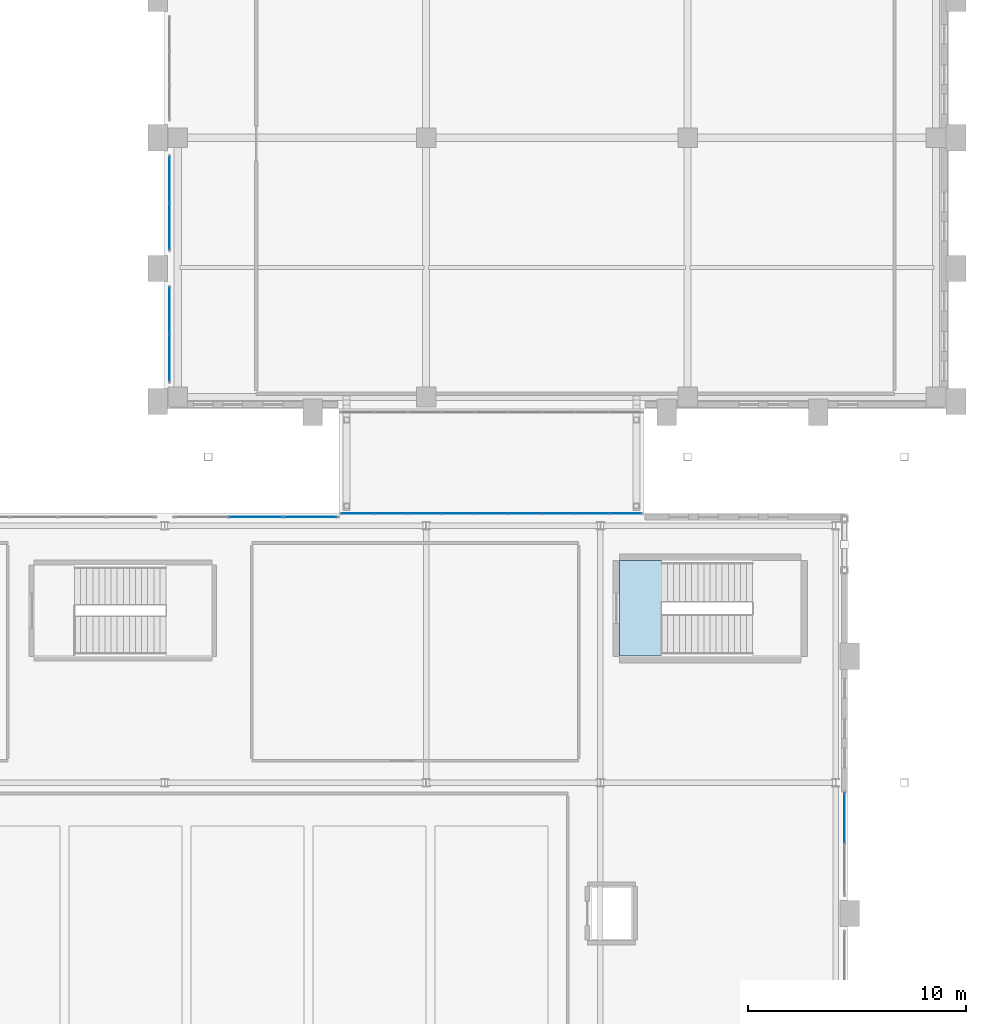
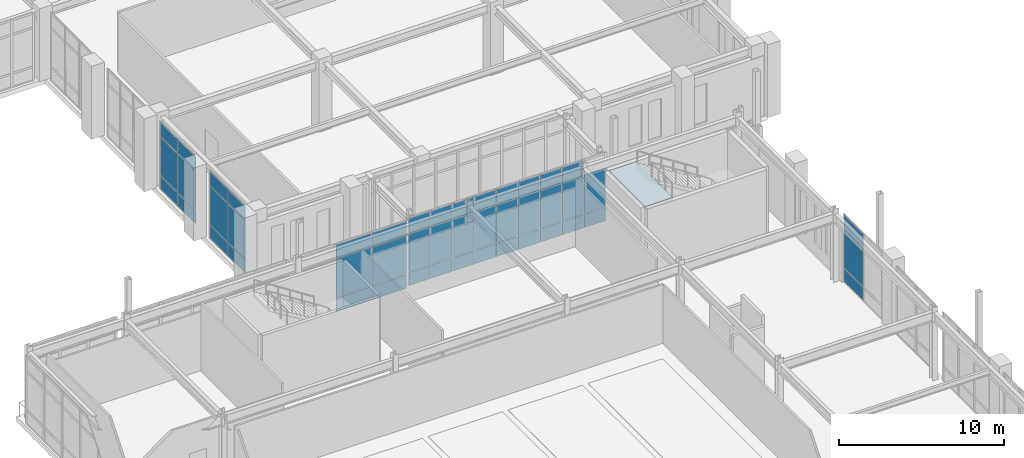
# One storey, part 116 of 159: 47 plates, 1 slab, 6 elements without a shape of their own.
"""IFC4 building model written with IfcOpenShell, lengths in metres."""

from ifc_helpers import new_model, si_unit, derived_unit, direction, frame, origin, origin_2d, place, context, subcontext, project, spatial, polyline, rectangle, outline, extrude, material, layer, layer_set, type_object, element, aggregate, save


model = new_model("IFC4")

# Units and contexts
model_context = context("Model", 3, precision=1e-05, world=origin(), true_north=direction((0.0, 1.0)))
body_context = subcontext(model_context, "Body", "Model", "MODEL_VIEW")
ifc_project = project(units=[si_unit("LENGTHUNIT", "METRE"), si_unit("AREAUNIT", "SQUARE_METRE"), si_unit("VOLUMEUNIT", "CUBIC_METRE"), si_unit("PLANEANGLEUNIT", "RADIAN"), si_unit("MASSUNIT", "GRAM", prefix="KILO"), derived_unit("THERMALTRANSMITTANCEUNIT", [(si_unit("MASSUNIT", "GRAM", prefix="KILO"), 1), (si_unit("TIMEUNIT", "SECOND"), -3), (si_unit("THERMODYNAMICTEMPERATUREUNIT", "KELVIN"), -1)])], contexts=[model_context])

# Site, building, storey
site_placement = place(None, origin())
site = spatial("IfcSite", under=ifc_project, at=site_placement, CompositionType="ELEMENT")
building_placement = place(site_placement, origin())
building = spatial("IfcBuilding", under=site, at=building_placement, Name="Valcora Ridge Arena", CompositionType="ELEMENT")
storey_placement = place(building_placement, frame((0.0, 0.0, 6.0)))
storey = spatial("IfcBuildingStorey", under=building, at=storey_placement, Name="L01", CompositionType="ELEMENT", Elevation=6.0)

# Stair, slab
ifc_material_1 = material(Name="Concrete C40/50", Category="concrete")
stair_type = type_object("IfcStairType", Name="TY-STAIR-ST12-54", PredefinedType="HALF_TURN_STAIR", material=ifc_material_1)
stair_placement = place(storey_placement, origin())
stair = element("IfcStair", 1, at=stair_placement, inside=storey, type_object=stair_type, Name="ST12-54 STR-CR-0048", PredefinedType="HALF_TURN_STAIR")
ifc_layer_1 = layer(ifc_material_1, 0.199951171875, Name="Concrete C40/50")
ifc_layer_set_1 = layer_set([ifc_layer_1], Name="Concrete C40/50")
slab_type = type_object("IfcSlabType", Name="TY-LAND-ST12-54", PredefinedType="LANDING", material=ifc_layer_set_1)
slab_placement = place(storey_placement, frame((0.0, 0.0, 5.199951171875)))
slab = element("IfcSlab", 2, at=slab_placement, type_object=slab_type, Name="ST12-54 landing 2", PredefinedType="LANDING", context=body_context, shape_type="SweptSolid", body=[
    extrude(outline(polyline([(176.882080078125, 71.802001953125), (178.81005859375, 71.802001953125), (178.81005859375, 76.197998046875), (176.882080078125, 76.197998046875), (176.882080078125, 71.802001953125)])), origin(), (0.0, 0.0, 1.0), 0.199951171875),
])
aggregate(stair, [slab])

# Curtain wall, plates
ifc_material_2 = material(Name="Anodised dark bronze architectural aluminium 6063-T6", Category="aluminium")
ifc_layer_2 = layer(ifc_material_2, 0.14990234375, Name="Anodised dark bronze architectural aluminium 6063-T6")
ifc_layer_set_2 = layer_set([ifc_layer_2], Name="Anodised dark bronze architectural aluminium 6063-T6")
curtain_wall_type_1 = type_object("IfcCurtainWallType", Name="TY-CURTAINWALL-CW-BRG-138X51", PredefinedType="NOTDEFINED", material=ifc_layer_set_2)
curtain_wall_1_placement = place(storey_placement, origin())
curtain_wall_1 = element("IfcCurtainWall", 3, at=curtain_wall_1_placement, inside=storey, type_object=curtain_wall_type_1, Name="CW-BRG-138X51 CW-0356", PredefinedType="NOTDEFINED")
ifc_material_3 = material(Name="Low-iron solar-control double glazing SHGC 0.28", Category="glass")
ifc_layer_3 = layer(ifc_material_3, 0.028076171875, Name="Low-iron solar-control double glazing SHGC 0.28")
ifc_layer_set_3 = layer_set([ifc_layer_3], Name="Low-iron solar-control double glazing SHGC 0.28")
plate_type_1 = type_object("IfcPlateType", Name="TY-PLT-CWP-1463X0975", PredefinedType="CURTAIN_PANEL", material=ifc_layer_set_3)
plate_1_placement = place(storey_placement, frame((164.861572265625, 78.35009765625, 0.050048828125), z_axis=(0.0, 0.0, 1.0), x_axis=(1.0, 0.0, 0.0)))
plate_1 = element("IfcPlate", 4, at=plate_1_placement, type_object=plate_type_1, Name="CW-0356/P00-00", PredefinedType="CURTAIN_PANEL", context=body_context, shape_type="SweptSolid", body=[
    extrude(rectangle(XDim=1.462890625, YDim=0.028076171875, at=origin_2d()), origin(), (0.0, 0.0, 1.0), 0.97509765625),
])
plate_2_placement = place(storey_placement, frame((177.138427734375, 78.35009765625, 0.050048828125), z_axis=(0.0, 0.0, 1.0), x_axis=(1.0, 0.0, 0.0)))
plate_2 = element("IfcPlate", 5, at=plate_2_placement, type_object=plate_type_1, Name="CW-0356/P08-00", PredefinedType="CURTAIN_PANEL", context=body_context, shape_type="SweptSolid", body=[
    extrude(rectangle(XDim=1.462890625, YDim=0.028076171875, at=origin_2d()), origin(), (0.0, 0.0, 1.0), 0.97509765625),
])
ifc_layer_4 = layer(ifc_material_3, 0.028076171875, Name="Low-iron solar-control double glazing SHGC 0.28")
ifc_layer_set_4 = layer_set([ifc_layer_4], Name="Low-iron solar-control double glazing SHGC 0.28")
plate_type_2 = type_object("IfcPlateType", Name="TY-PLT-CWP-1463X1025", PredefinedType="CURTAIN_PANEL", material=ifc_layer_set_4)
plate_3_placement = place(storey_placement, frame((164.861572265625, 78.35009765625, 4.005126953125), z_axis=(0.0, 0.0, 1.0), x_axis=(1.0, 0.0, 0.0)))
plate_3 = element("IfcPlate", 6, at=plate_3_placement, type_object=plate_type_2, Name="CW-0356/P00-02", PredefinedType="CURTAIN_PANEL", context=body_context, shape_type="SweptSolid", body=[
    extrude(rectangle(XDim=1.462890625, YDim=0.028076171875, at=origin_2d()), origin(), (0.0, 0.0, 1.0), 1.02490234375),
])
ifc_layer_5 = layer(ifc_material_3, 0.028076171875, Name="Low-iron solar-control double glazing SHGC 0.28")
ifc_layer_set_5 = layer_set([ifc_layer_5], Name="Low-iron solar-control double glazing SHGC 0.28")
plate_type_3 = type_object("IfcPlateType", Name="TY-PLT-CWP-1463X2880", PredefinedType="CURTAIN_PANEL", material=ifc_layer_set_5)
plate_4_placement = place(storey_placement, frame((164.861572265625, 78.35009765625, 1.074951171875), z_axis=(0.0, 0.0, 1.0), x_axis=(1.0, 0.0, 0.0)))
plate_4 = element("IfcPlate", 7, at=plate_4_placement, type_object=plate_type_3, Name="CW-0356/P00-01", PredefinedType="CURTAIN_PANEL", context=body_context, shape_type="SweptSolid", body=[
    extrude(rectangle(XDim=1.462890625, YDim=0.028076171875, at=origin_2d()), origin(), (0.0, 0.0, 1.0), 2.8798828125),
])
plate_5_placement = place(storey_placement, frame((177.138427734375, 78.35009765625, 1.074951171875), z_axis=(0.0, 0.0, 1.0), x_axis=(1.0, 0.0, 0.0)))
plate_5 = element("IfcPlate", 8, at=plate_5_placement, type_object=plate_type_3, Name="CW-0356/P08-01", PredefinedType="CURTAIN_PANEL", context=body_context, shape_type="SweptSolid", body=[
    extrude(rectangle(XDim=1.462890625, YDim=0.028076171875, at=origin_2d()), origin(), (0.0, 0.0, 1.0), 2.8798828125),
])
ifc_layer_6 = layer(ifc_material_3, 0.028076171875, Name="Low-iron solar-control double glazing SHGC 0.28")
ifc_layer_set_6 = layer_set([ifc_layer_6], Name="Low-iron solar-control double glazing SHGC 0.28")
plate_type_4 = type_object("IfcPlateType", Name="TY-PLT-CWP-1487X0975", PredefinedType="CURTAIN_PANEL", material=ifc_layer_set_6)
plate_6_placement = place(storey_placement, frame((167.924560546875, 78.35009765625, 0.050048828125), z_axis=(0.0, 0.0, 1.0), x_axis=(1.0, 0.0, 0.0)))
plate_6 = element("IfcPlate", 9, at=plate_6_placement, type_object=plate_type_4, Name="CW-0356/P02-00", PredefinedType="CURTAIN_PANEL", context=body_context, shape_type="SweptSolid", body=[
    extrude(rectangle(XDim=1.487060546875, YDim=0.028076171875, at=origin_2d()), origin(), (0.0, 0.0, 1.0), 0.97509765625),
])
plate_7_placement = place(storey_placement, frame((174.075439453125, 78.35009765625, 0.050048828125), z_axis=(0.0, 0.0, 1.0), x_axis=(1.0, 0.0, 0.0)))
plate_7 = element("IfcPlate", 10, at=plate_7_placement, type_object=plate_type_4, Name="CW-0356/P06-00", PredefinedType="CURTAIN_PANEL", context=body_context, shape_type="SweptSolid", body=[
    extrude(rectangle(XDim=1.487060546875, YDim=0.028076171875, at=origin_2d()), origin(), (0.0, 0.0, 1.0), 0.97509765625),
])
ifc_layer_7 = layer(ifc_material_3, 0.028076171875, Name="Low-iron solar-control double glazing SHGC 0.28")
ifc_layer_set_7 = layer_set([ifc_layer_7], Name="Low-iron solar-control double glazing SHGC 0.28")
plate_type_5 = type_object("IfcPlateType", Name="TY-PLT-CWP-1487X1025", PredefinedType="CURTAIN_PANEL", material=ifc_layer_set_7)
plate_8_placement = place(storey_placement, frame((167.924560546875, 78.35009765625, 4.005126953125), z_axis=(0.0, 0.0, 1.0), x_axis=(1.0, 0.0, 0.0)))
plate_8 = element("IfcPlate", 11, at=plate_8_placement, type_object=plate_type_5, Name="CW-0356/P02-02", PredefinedType="CURTAIN_PANEL", context=body_context, shape_type="SweptSolid", body=[
    extrude(rectangle(XDim=1.487060546875, YDim=0.028076171875, at=origin_2d()), origin(), (0.0, 0.0, 1.0), 1.02490234375),
])
plate_9_placement = place(storey_placement, frame((174.075439453125, 78.35009765625, 4.005126953125), z_axis=(0.0, 0.0, 1.0), x_axis=(1.0, 0.0, 0.0)))
plate_9 = element("IfcPlate", 12, at=plate_9_placement, type_object=plate_type_5, Name="CW-0356/P06-02", PredefinedType="CURTAIN_PANEL", context=body_context, shape_type="SweptSolid", body=[
    extrude(rectangle(XDim=1.487060546875, YDim=0.028076171875, at=origin_2d()), origin(), (0.0, 0.0, 1.0), 1.02490234375),
])
ifc_layer_8 = layer(ifc_material_3, 0.028076171875, Name="Low-iron solar-control double glazing SHGC 0.28")
ifc_layer_set_8 = layer_set([ifc_layer_8], Name="Low-iron solar-control double glazing SHGC 0.28")
plate_type_6 = type_object("IfcPlateType", Name="TY-PLT-CWP-1487X2880", PredefinedType="CURTAIN_PANEL", material=ifc_layer_set_8)
plate_10_placement = place(storey_placement, frame((167.924560546875, 78.35009765625, 1.074951171875), z_axis=(0.0, 0.0, 1.0), x_axis=(1.0, 0.0, 0.0)))
plate_10 = element("IfcPlate", 13, at=plate_10_placement, type_object=plate_type_6, Name="CW-0356/P02-01", PredefinedType="CURTAIN_PANEL", context=body_context, shape_type="SweptSolid", body=[
    extrude(rectangle(XDim=1.487060546875, YDim=0.028076171875, at=origin_2d()), origin(), (0.0, 0.0, 1.0), 2.8798828125),
])
plate_11_placement = place(storey_placement, frame((174.075439453125, 78.35009765625, 1.074951171875), z_axis=(0.0, 0.0, 1.0), x_axis=(1.0, 0.0, 0.0)))
plate_11 = element("IfcPlate", 14, at=plate_11_placement, type_object=plate_type_6, Name="CW-0356/P06-01", PredefinedType="CURTAIN_PANEL", context=body_context, shape_type="SweptSolid", body=[
    extrude(rectangle(XDim=1.487060546875, YDim=0.028076171875, at=origin_2d()), origin(), (0.0, 0.0, 1.0), 2.8798828125),
])
ifc_layer_9 = layer(ifc_material_3, 0.028076171875, Name="Low-iron solar-control double glazing SHGC 0.28")
ifc_layer_set_9 = layer_set([ifc_layer_9], Name="Low-iron solar-control double glazing SHGC 0.28")
plate_type_7 = type_object("IfcPlateType", Name="TY-PLT-CWP-1488X0975", PredefinedType="CURTAIN_PANEL", material=ifc_layer_set_9)
plate_12_placement = place(storey_placement, frame((166.386962890625, 78.35009765625, 0.050048828125), z_axis=(0.0, 0.0, 1.0), x_axis=(1.0, 0.0, 0.0)))
plate_12 = element("IfcPlate", 15, at=plate_12_placement, type_object=plate_type_7, Name="CW-0356/P01-00", PredefinedType="CURTAIN_PANEL", context=body_context, shape_type="SweptSolid", body=[
    extrude(rectangle(XDim=1.488037109375, YDim=0.028076171875, at=origin_2d()), origin(), (0.0, 0.0, 1.0), 0.97509765625),
])
plate_13_placement = place(storey_placement, frame((169.4619140625, 78.35009765625, 0.050048828125), z_axis=(0.0, 0.0, 1.0), x_axis=(1.0, 0.0, 0.0)))
plate_13 = element("IfcPlate", 16, at=plate_13_placement, type_object=plate_type_7, Name="CW-0356/P03-00", PredefinedType="CURTAIN_PANEL", context=body_context, shape_type="SweptSolid", body=[
    extrude(rectangle(XDim=1.488037109375, YDim=0.028076171875, at=origin_2d()), origin(), (0.0, 0.0, 1.0), 0.97509765625),
])
plate_14_placement = place(storey_placement, frame((171.0, 78.35009765625, 0.050048828125), z_axis=(0.0, 0.0, 1.0), x_axis=(1.0, 0.0, 0.0)))
plate_14 = element("IfcPlate", 17, at=plate_14_placement, type_object=plate_type_7, Name="CW-0356/P04-00", PredefinedType="CURTAIN_PANEL", context=body_context, shape_type="SweptSolid", body=[
    extrude(rectangle(XDim=1.488037109375, YDim=0.028076171875, at=origin_2d()), origin(), (0.0, 0.0, 1.0), 0.97509765625),
])
plate_15_placement = place(storey_placement, frame((172.5380859375, 78.35009765625, 0.050048828125), z_axis=(0.0, 0.0, 1.0), x_axis=(1.0, 0.0, 0.0)))
plate_15 = element("IfcPlate", 18, at=plate_15_placement, type_object=plate_type_7, Name="CW-0356/P05-00", PredefinedType="CURTAIN_PANEL", context=body_context, shape_type="SweptSolid", body=[
    extrude(rectangle(XDim=1.488037109375, YDim=0.028076171875, at=origin_2d()), origin(), (0.0, 0.0, 1.0), 0.97509765625),
])
plate_16_placement = place(storey_placement, frame((175.613037109375, 78.35009765625, 0.050048828125), z_axis=(0.0, 0.0, 1.0), x_axis=(1.0, 0.0, 0.0)))
plate_16 = element("IfcPlate", 19, at=plate_16_placement, type_object=plate_type_7, Name="CW-0356/P07-00", PredefinedType="CURTAIN_PANEL", context=body_context, shape_type="SweptSolid", body=[
    extrude(rectangle(XDim=1.488037109375, YDim=0.028076171875, at=origin_2d()), origin(), (0.0, 0.0, 1.0), 0.97509765625),
])
ifc_layer_10 = layer(ifc_material_3, 0.028076171875, Name="Low-iron solar-control double glazing SHGC 0.28")
ifc_layer_set_10 = layer_set([ifc_layer_10], Name="Low-iron solar-control double glazing SHGC 0.28")
plate_type_8 = type_object("IfcPlateType", Name="TY-PLT-CWP-1488X1025", PredefinedType="CURTAIN_PANEL", material=ifc_layer_set_10)
plate_17_placement = place(storey_placement, frame((166.386962890625, 78.35009765625, 4.005126953125), z_axis=(0.0, 0.0, 1.0), x_axis=(1.0, 0.0, 0.0)))
plate_17 = element("IfcPlate", 20, at=plate_17_placement, type_object=plate_type_8, Name="CW-0356/P01-02", PredefinedType="CURTAIN_PANEL", context=body_context, shape_type="SweptSolid", body=[
    extrude(rectangle(XDim=1.488037109375, YDim=0.028076171875, at=origin_2d()), origin(), (0.0, 0.0, 1.0), 1.02490234375),
])
plate_18_placement = place(storey_placement, frame((169.4619140625, 78.35009765625, 4.005126953125), z_axis=(0.0, 0.0, 1.0), x_axis=(1.0, 0.0, 0.0)))
plate_18 = element("IfcPlate", 21, at=plate_18_placement, type_object=plate_type_8, Name="CW-0356/P03-02", PredefinedType="CURTAIN_PANEL", context=body_context, shape_type="SweptSolid", body=[
    extrude(rectangle(XDim=1.488037109375, YDim=0.028076171875, at=origin_2d()), origin(), (0.0, 0.0, 1.0), 1.02490234375),
])
plate_19_placement = place(storey_placement, frame((171.0, 78.35009765625, 4.005126953125), z_axis=(0.0, 0.0, 1.0), x_axis=(1.0, 0.0, 0.0)))
plate_19 = element("IfcPlate", 22, at=plate_19_placement, type_object=plate_type_8, Name="CW-0356/P04-02", PredefinedType="CURTAIN_PANEL", context=body_context, shape_type="SweptSolid", body=[
    extrude(rectangle(XDim=1.488037109375, YDim=0.028076171875, at=origin_2d()), origin(), (0.0, 0.0, 1.0), 1.02490234375),
])
plate_20_placement = place(storey_placement, frame((172.5380859375, 78.35009765625, 4.005126953125), z_axis=(0.0, 0.0, 1.0), x_axis=(1.0, 0.0, 0.0)))
plate_20 = element("IfcPlate", 23, at=plate_20_placement, type_object=plate_type_8, Name="CW-0356/P05-02", PredefinedType="CURTAIN_PANEL", context=body_context, shape_type="SweptSolid", body=[
    extrude(rectangle(XDim=1.488037109375, YDim=0.028076171875, at=origin_2d()), origin(), (0.0, 0.0, 1.0), 1.02490234375),
])
plate_21_placement = place(storey_placement, frame((175.613037109375, 78.35009765625, 4.005126953125), z_axis=(0.0, 0.0, 1.0), x_axis=(1.0, 0.0, 0.0)))
plate_21 = element("IfcPlate", 24, at=plate_21_placement, type_object=plate_type_8, Name="CW-0356/P07-02", PredefinedType="CURTAIN_PANEL", context=body_context, shape_type="SweptSolid", body=[
    extrude(rectangle(XDim=1.488037109375, YDim=0.028076171875, at=origin_2d()), origin(), (0.0, 0.0, 1.0), 1.02490234375),
])
ifc_layer_11 = layer(ifc_material_3, 0.028076171875, Name="Low-iron solar-control double glazing SHGC 0.28")
ifc_layer_set_11 = layer_set([ifc_layer_11], Name="Low-iron solar-control double glazing SHGC 0.28")
plate_type_9 = type_object("IfcPlateType", Name="TY-PLT-CWP-1488X2880", PredefinedType="CURTAIN_PANEL", material=ifc_layer_set_11)
plate_22_placement = place(storey_placement, frame((166.386962890625, 78.35009765625, 1.074951171875), z_axis=(0.0, 0.0, 1.0), x_axis=(1.0, 0.0, 0.0)))
plate_22 = element("IfcPlate", 25, at=plate_22_placement, type_object=plate_type_9, Name="CW-0356/P01-01", PredefinedType="CURTAIN_PANEL", context=body_context, shape_type="SweptSolid", body=[
    extrude(rectangle(XDim=1.488037109375, YDim=0.028076171875, at=origin_2d()), origin(), (0.0, 0.0, 1.0), 2.8798828125),
])
plate_23_placement = place(storey_placement, frame((169.4619140625, 78.35009765625, 1.074951171875), z_axis=(0.0, 0.0, 1.0), x_axis=(1.0, 0.0, 0.0)))
plate_23 = element("IfcPlate", 26, at=plate_23_placement, type_object=plate_type_9, Name="CW-0356/P03-01", PredefinedType="CURTAIN_PANEL", context=body_context, shape_type="SweptSolid", body=[
    extrude(rectangle(XDim=1.488037109375, YDim=0.028076171875, at=origin_2d()), origin(), (0.0, 0.0, 1.0), 2.8798828125),
])
plate_24_placement = place(storey_placement, frame((171.0, 78.35009765625, 1.074951171875), z_axis=(0.0, 0.0, 1.0), x_axis=(1.0, 0.0, 0.0)))
plate_24 = element("IfcPlate", 27, at=plate_24_placement, type_object=plate_type_9, Name="CW-0356/P04-01", PredefinedType="CURTAIN_PANEL", context=body_context, shape_type="SweptSolid", body=[
    extrude(rectangle(XDim=1.488037109375, YDim=0.028076171875, at=origin_2d()), origin(), (0.0, 0.0, 1.0), 2.8798828125),
])
plate_25_placement = place(storey_placement, frame((172.5380859375, 78.35009765625, 1.074951171875), z_axis=(0.0, 0.0, 1.0), x_axis=(1.0, 0.0, 0.0)))
plate_25 = element("IfcPlate", 28, at=plate_25_placement, type_object=plate_type_9, Name="CW-0356/P05-01", PredefinedType="CURTAIN_PANEL", context=body_context, shape_type="SweptSolid", body=[
    extrude(rectangle(XDim=1.488037109375, YDim=0.028076171875, at=origin_2d()), origin(), (0.0, 0.0, 1.0), 2.8798828125),
])
plate_26_placement = place(storey_placement, frame((175.613037109375, 78.35009765625, 1.074951171875), z_axis=(0.0, 0.0, 1.0), x_axis=(1.0, 0.0, 0.0)))
plate_26 = element("IfcPlate", 29, at=plate_26_placement, type_object=plate_type_9, Name="CW-0356/P07-01", PredefinedType="CURTAIN_PANEL", context=body_context, shape_type="SweptSolid", body=[
    extrude(rectangle(XDim=1.488037109375, YDim=0.028076171875, at=origin_2d()), origin(), (0.0, 0.0, 1.0), 2.8798828125),
])
aggregate(curtain_wall_1, [plate_1, plate_4, plate_3, plate_12, plate_22, plate_17, plate_6, plate_10, plate_8, plate_13, plate_23, plate_18, plate_14, plate_24, plate_19, plate_15, plate_25, plate_20, plate_7, plate_11, plate_9, plate_16, plate_26, plate_21, plate_2, plate_5])

ifc_layer_12 = layer(ifc_material_2, 0.14990234375, Name="Anodised dark bronze architectural aluminium 6063-T6")
ifc_layer_set_12 = layer_set([ifc_layer_12], Name="Anodised dark bronze architectural aluminium 6063-T6")
curtain_wall_type_2 = type_object("IfcCurtainWallType", Name="TY-CURTAINWALL-CW-V5-MED-043X50", PredefinedType="NOTDEFINED", material=ifc_layer_set_12)
curtain_wall_2_placement = place(storey_placement, origin())
curtain_wall_2 = element("IfcCurtainWall", 30, at=curtain_wall_2_placement, inside=storey, type_object=curtain_wall_type_2, Name="CW-V5-MED-043X50 CW-0323", PredefinedType="NOTDEFINED")
ifc_layer_13 = layer(ifc_material_3, 0.028076171875, Name="Low-iron solar-control double glazing SHGC 0.28")
ifc_layer_set_13 = layer_set([ifc_layer_13], Name="Low-iron solar-control double glazing SHGC 0.28")
plate_type_10 = type_object("IfcPlateType", Name="TY-PLT-CWP-2085X0975", PredefinedType="CURTAIN_PANEL", material=ifc_layer_set_13)
plate_27_placement = place(storey_placement, frame((156.219970703125, 91.532470703125, 0.050048828125), z_axis=(0.0, 0.0, 1.0), x_axis=(0.0, 1.0, 0.0)))
plate_27 = element("IfcPlate", 31, at=plate_27_placement, type_object=plate_type_10, Name="CW-0323/P00-00", PredefinedType="CURTAIN_PANEL", context=body_context, shape_type="SweptSolid", body=[
    extrude(rectangle(XDim=2.0849609375, YDim=0.028076171875, at=origin_2d()), origin(), (0.0, 0.0, 1.0), 0.97509765625),
])
plate_28_placement = place(storey_placement, frame((156.219970703125, 93.66748046875, 0.050048828125), z_axis=(0.0, 0.0, 1.0), x_axis=(0.0, 1.0, 0.0)))
plate_28 = element("IfcPlate", 32, at=plate_28_placement, type_object=plate_type_10, Name="CW-0323/P01-00", PredefinedType="CURTAIN_PANEL", context=body_context, shape_type="SweptSolid", body=[
    extrude(rectangle(XDim=2.0849609375, YDim=0.028076171875, at=origin_2d()), origin(), (0.0, 0.0, 1.0), 0.97509765625),
])
ifc_layer_14 = layer(ifc_material_3, 0.028076171875, Name="Low-iron solar-control double glazing SHGC 0.28")
ifc_layer_set_14 = layer_set([ifc_layer_14], Name="Low-iron solar-control double glazing SHGC 0.28")
plate_type_11 = type_object("IfcPlateType", Name="TY-PLT-CWP-2085X1025", PredefinedType="CURTAIN_PANEL", material=ifc_layer_set_14)
plate_29_placement = place(storey_placement, frame((156.219970703125, 91.532470703125, 3.965087890625), z_axis=(0.0, 0.0, 1.0), x_axis=(0.0, 1.0, 0.0)))
plate_29 = element("IfcPlate", 33, at=plate_29_placement, type_object=plate_type_11, Name="CW-0323/P00-02", PredefinedType="CURTAIN_PANEL", context=body_context, shape_type="SweptSolid", body=[
    extrude(rectangle(XDim=2.0849609375, YDim=0.028076171875, at=origin_2d()), origin(), (0.0, 0.0, 1.0), 1.02490234375),
])
plate_30_placement = place(storey_placement, frame((156.219970703125, 93.66748046875, 3.965087890625), z_axis=(0.0, 0.0, 1.0), x_axis=(0.0, 1.0, 0.0)))
plate_30 = element("IfcPlate", 34, at=plate_30_placement, type_object=plate_type_11, Name="CW-0323/P01-02", PredefinedType="CURTAIN_PANEL", context=body_context, shape_type="SweptSolid", body=[
    extrude(rectangle(XDim=2.0849609375, YDim=0.028076171875, at=origin_2d()), origin(), (0.0, 0.0, 1.0), 1.02490234375),
])
ifc_layer_15 = layer(ifc_material_3, 0.028076171875, Name="Low-iron solar-control double glazing SHGC 0.28")
ifc_layer_set_15 = layer_set([ifc_layer_15], Name="Low-iron solar-control double glazing SHGC 0.28")
plate_type_12 = type_object("IfcPlateType", Name="TY-PLT-CWP-2085X2840", PredefinedType="CURTAIN_PANEL", material=ifc_layer_set_15)
plate_31_placement = place(storey_placement, frame((156.219970703125, 91.532470703125, 1.0751953125), z_axis=(0.0, 0.0, 1.0), x_axis=(0.0, 1.0, 0.0)))
plate_31 = element("IfcPlate", 35, at=plate_31_placement, type_object=plate_type_12, Name="CW-0323/P00-01", PredefinedType="CURTAIN_PANEL", context=body_context, shape_type="SweptSolid", body=[
    extrude(rectangle(XDim=2.0849609375, YDim=0.028076171875, at=origin_2d()), origin(), (0.0, 0.0, 1.0), 2.840087890625),
])
plate_32_placement = place(storey_placement, frame((156.219970703125, 93.66748046875, 1.0751953125), z_axis=(0.0, 0.0, 1.0), x_axis=(0.0, 1.0, 0.0)))
plate_32 = element("IfcPlate", 36, at=plate_32_placement, type_object=plate_type_12, Name="CW-0323/P01-01", PredefinedType="CURTAIN_PANEL", context=body_context, shape_type="SweptSolid", body=[
    extrude(rectangle(XDim=2.0849609375, YDim=0.028076171875, at=origin_2d()), origin(), (0.0, 0.0, 1.0), 2.840087890625),
])
aggregate(curtain_wall_2, [plate_27, plate_31, plate_29, plate_28, plate_32, plate_30])

ifc_layer_16 = layer(ifc_material_2, 0.14990234375, Name="Anodised dark bronze architectural aluminium 6063-T6")
ifc_layer_set_16 = layer_set([ifc_layer_16], Name="Anodised dark bronze architectural aluminium 6063-T6")
curtain_wall_type_3 = type_object("IfcCurtainWallType", Name="TY-CURTAINWALL-CW-V5-MED-044X50", PredefinedType="NOTDEFINED", material=ifc_layer_set_16)
curtain_wall_3_placement = place(storey_placement, origin())
curtain_wall_3 = element("IfcCurtainWall", 37, at=curtain_wall_3_placement, inside=storey, type_object=curtain_wall_type_3, Name="CW-V5-MED-044X50 CW-0322", PredefinedType="NOTDEFINED")
ifc_layer_17 = layer(ifc_material_3, 0.028076171875, Name="Low-iron solar-control double glazing SHGC 0.28")
ifc_layer_set_17 = layer_set([ifc_layer_17], Name="Low-iron solar-control double glazing SHGC 0.28")
plate_type_13 = type_object("IfcPlateType", Name="TY-PLT-CWP-2110X0975", PredefinedType="CURTAIN_PANEL", material=ifc_layer_set_17)
plate_33_placement = place(storey_placement, frame((156.219970703125, 85.4951171875, 0.050048828125), z_axis=(0.0, 0.0, 1.0), x_axis=(0.0, 1.0, 0.0)))
plate_33 = element("IfcPlate", 38, at=plate_33_placement, type_object=plate_type_13, Name="CW-0322/P00-00", PredefinedType="CURTAIN_PANEL", context=body_context, shape_type="SweptSolid", body=[
    extrude(rectangle(XDim=2.110107421875, YDim=0.028076171875, at=origin_2d()), origin(), (0.0, 0.0, 1.0), 0.97509765625),
])
plate_34_placement = place(storey_placement, frame((156.219970703125, 87.655029296875, 0.050048828125), z_axis=(0.0, 0.0, 1.0), x_axis=(0.0, 1.0, 0.0)))
plate_34 = element("IfcPlate", 39, at=plate_34_placement, type_object=plate_type_13, Name="CW-0322/P01-00", PredefinedType="CURTAIN_PANEL", context=body_context, shape_type="SweptSolid", body=[
    extrude(rectangle(XDim=2.110107421875, YDim=0.028076171875, at=origin_2d()), origin(), (0.0, 0.0, 1.0), 0.97509765625),
])
ifc_layer_18 = layer(ifc_material_3, 0.028076171875, Name="Low-iron solar-control double glazing SHGC 0.28")
ifc_layer_set_18 = layer_set([ifc_layer_18], Name="Low-iron solar-control double glazing SHGC 0.28")
plate_type_14 = type_object("IfcPlateType", Name="TY-PLT-CWP-2110X1025", PredefinedType="CURTAIN_PANEL", material=ifc_layer_set_18)
plate_35_placement = place(storey_placement, frame((156.219970703125, 85.4951171875, 3.965087890625), z_axis=(0.0, 0.0, 1.0), x_axis=(0.0, 1.0, 0.0)))
plate_35 = element("IfcPlate", 40, at=plate_35_placement, type_object=plate_type_14, Name="CW-0322/P00-02", PredefinedType="CURTAIN_PANEL", context=body_context, shape_type="SweptSolid", body=[
    extrude(rectangle(XDim=2.110107421875, YDim=0.028076171875, at=origin_2d()), origin(), (0.0, 0.0, 1.0), 1.02490234375),
])
plate_36_placement = place(storey_placement, frame((156.219970703125, 87.655029296875, 3.965087890625), z_axis=(0.0, 0.0, 1.0), x_axis=(0.0, 1.0, 0.0)))
plate_36 = element("IfcPlate", 41, at=plate_36_placement, type_object=plate_type_14, Name="CW-0322/P01-02", PredefinedType="CURTAIN_PANEL", context=body_context, shape_type="SweptSolid", body=[
    extrude(rectangle(XDim=2.110107421875, YDim=0.028076171875, at=origin_2d()), origin(), (0.0, 0.0, 1.0), 1.02490234375),
])
ifc_layer_19 = layer(ifc_material_3, 0.028076171875, Name="Low-iron solar-control double glazing SHGC 0.28")
ifc_layer_set_19 = layer_set([ifc_layer_19], Name="Low-iron solar-control double glazing SHGC 0.28")
plate_type_15 = type_object("IfcPlateType", Name="TY-PLT-CWP-2110X2840", PredefinedType="CURTAIN_PANEL", material=ifc_layer_set_19)
plate_37_placement = place(storey_placement, frame((156.219970703125, 85.4951171875, 1.0751953125), z_axis=(0.0, 0.0, 1.0), x_axis=(0.0, 1.0, 0.0)))
plate_37 = element("IfcPlate", 42, at=plate_37_placement, type_object=plate_type_15, Name="CW-0322/P00-01", PredefinedType="CURTAIN_PANEL", context=body_context, shape_type="SweptSolid", body=[
    extrude(rectangle(XDim=2.110107421875, YDim=0.028076171875, at=origin_2d()), origin(), (0.0, 0.0, 1.0), 2.840087890625),
])
plate_38_placement = place(storey_placement, frame((156.219970703125, 87.655029296875, 1.0751953125), z_axis=(0.0, 0.0, 1.0), x_axis=(0.0, 1.0, 0.0)))
plate_38 = element("IfcPlate", 43, at=plate_38_placement, type_object=plate_type_15, Name="CW-0322/P01-01", PredefinedType="CURTAIN_PANEL", context=body_context, shape_type="SweptSolid", body=[
    extrude(rectangle(XDim=2.110107421875, YDim=0.028076171875, at=origin_2d()), origin(), (0.0, 0.0, 1.0), 2.840087890625),
])
aggregate(curtain_wall_3, [plate_33, plate_37, plate_35, plate_34, plate_38, plate_36])

ifc_layer_20 = layer(ifc_material_2, 0.179931640625, Name="Anodised dark bronze architectural aluminium 6063-T6")
ifc_layer_set_20 = layer_set([ifc_layer_20], Name="Anodised dark bronze architectural aluminium 6063-T6")
curtain_wall_type_4 = type_object("IfcCurtainWallType", Name="TY-CURTAINWALL-CW-V2-GLAZ-047X50", PredefinedType="NOTDEFINED", material=ifc_layer_set_20)
curtain_wall_4_placement = place(storey_placement, origin())
curtain_wall_4 = element("IfcCurtainWall", 44, at=curtain_wall_4_placement, inside=storey, type_object=curtain_wall_type_4, Name="CW-V2-GLAZ-047X50 CW-0056", PredefinedType="NOTDEFINED")
ifc_layer_21 = layer(ifc_material_3, 0.028076171875, Name="Low-iron solar-control double glazing SHGC 0.28")
ifc_layer_set_21 = layer_set([ifc_layer_21], Name="Low-iron solar-control double glazing SHGC 0.28")
plate_type_16 = type_object("IfcPlateType", Name="TY-PLT-CWP-2276X0975", PredefinedType="CURTAIN_PANEL", material=ifc_layer_set_21)
plate_39_placement = place(storey_placement, frame((187.199951171875, 64.375, 0.050048828125), z_axis=(0.0, 0.0, 1.0), x_axis=(0.0, 1.0, 0.0)))
plate_39 = element("IfcPlate", 45, at=plate_39_placement, type_object=plate_type_16, Name="CW-0056/P01-00", PredefinedType="CURTAIN_PANEL", context=body_context, shape_type="SweptSolid", body=[
    extrude(rectangle(XDim=2.27587890625, YDim=0.028076171875, at=origin_2d()), origin(), (0.0, 0.0, 1.0), 0.97509765625),
])
ifc_layer_22 = layer(ifc_material_3, 0.028076171875, Name="Low-iron solar-control double glazing SHGC 0.28")
ifc_layer_set_22 = layer_set([ifc_layer_22], Name="Low-iron solar-control double glazing SHGC 0.28")
plate_type_17 = type_object("IfcPlateType", Name="TY-PLT-CWP-2276X1025", PredefinedType="CURTAIN_PANEL", material=ifc_layer_set_22)
plate_40_placement = place(storey_placement, frame((187.199951171875, 64.375, 3.965087890625), z_axis=(0.0, 0.0, 1.0), x_axis=(0.0, 1.0, 0.0)))
plate_40 = element("IfcPlate", 46, at=plate_40_placement, type_object=plate_type_17, Name="CW-0056/P01-02", PredefinedType="CURTAIN_PANEL", context=body_context, shape_type="SweptSolid", body=[
    extrude(rectangle(XDim=2.27587890625, YDim=0.028076171875, at=origin_2d()), origin(), (0.0, 0.0, 1.0), 1.02490234375),
])
ifc_layer_23 = layer(ifc_material_3, 0.028076171875, Name="Low-iron solar-control double glazing SHGC 0.28")
ifc_layer_set_23 = layer_set([ifc_layer_23], Name="Low-iron solar-control double glazing SHGC 0.28")
plate_type_18 = type_object("IfcPlateType", Name="TY-PLT-CWP-2276X2840", PredefinedType="CURTAIN_PANEL", material=ifc_layer_set_23)
plate_41_placement = place(storey_placement, frame((187.199951171875, 64.375, 1.0751953125), z_axis=(0.0, 0.0, 1.0), x_axis=(0.0, 1.0, 0.0)))
plate_41 = element("IfcPlate", 47, at=plate_41_placement, type_object=plate_type_18, Name="CW-0056/P01-01", PredefinedType="CURTAIN_PANEL", context=body_context, shape_type="SweptSolid", body=[
    extrude(rectangle(XDim=2.27587890625, YDim=0.028076171875, at=origin_2d()), origin(), (0.0, 0.0, 1.0), 2.840087890625),
])
aggregate(curtain_wall_4, [plate_39, plate_41, plate_40])

ifc_layer_24 = layer(ifc_material_2, 0.179931640625, Name="Anodised dark bronze architectural aluminium 6063-T6")
ifc_layer_set_24 = layer_set([ifc_layer_24], Name="Anodised dark bronze architectural aluminium 6063-T6")
curtain_wall_type_5 = type_object("IfcCurtainWallType", Name="TY-CURTAINWALL-CW-V2-GLAZ-075X50", PredefinedType="NOTDEFINED", material=ifc_layer_set_24)
curtain_wall_5_placement = place(storey_placement, origin())
curtain_wall_5 = element("IfcCurtainWall", 48, at=curtain_wall_5_placement, inside=storey, type_object=curtain_wall_type_5, Name="CW-V2-GLAZ-075X50 CW-0059", PredefinedType="NOTDEFINED")
ifc_layer_25 = layer(ifc_material_3, 0.028076171875, Name="Low-iron solar-control double glazing SHGC 0.28")
ifc_layer_set_25 = layer_set([ifc_layer_25], Name="Low-iron solar-control double glazing SHGC 0.28")
plate_type_19 = type_object("IfcPlateType", Name="TY-PLT-CWP-2418X0975", PredefinedType="CURTAIN_PANEL", material=ifc_layer_set_25)
plate_42_placement = place(storey_placement, frame((162.680908203125, 78.199951171875, 0.050048828125), z_axis=(0.0, 0.0, 1.0), x_axis=(1.0, 0.0, 0.0)))
plate_42 = element("IfcPlate", 49, at=plate_42_placement, type_object=plate_type_19, Name="CW-0059/P02-00", PredefinedType="CURTAIN_PANEL", context=body_context, shape_type="SweptSolid", body=[
    extrude(rectangle(XDim=2.41796875, YDim=0.028076171875, at=origin_2d()), origin(), (0.0, 0.0, 1.0), 0.97509765625),
])
ifc_layer_26 = layer(ifc_material_3, 0.028076171875, Name="Low-iron solar-control double glazing SHGC 0.28")
ifc_layer_set_26 = layer_set([ifc_layer_26], Name="Low-iron solar-control double glazing SHGC 0.28")
plate_type_20 = type_object("IfcPlateType", Name="TY-PLT-CWP-2418X1025", PredefinedType="CURTAIN_PANEL", material=ifc_layer_set_26)
plate_43_placement = place(storey_placement, frame((162.680908203125, 78.199951171875, 3.965087890625), z_axis=(0.0, 0.0, 1.0), x_axis=(1.0, 0.0, 0.0)))
plate_43 = element("IfcPlate", 50, at=plate_43_placement, type_object=plate_type_20, Name="CW-0059/P02-02", PredefinedType="CURTAIN_PANEL", context=body_context, shape_type="SweptSolid", body=[
    extrude(rectangle(XDim=2.41796875, YDim=0.028076171875, at=origin_2d()), origin(), (0.0, 0.0, 1.0), 1.02490234375),
])
ifc_layer_27 = layer(ifc_material_3, 0.028076171875, Name="Low-iron solar-control double glazing SHGC 0.28")
ifc_layer_set_27 = layer_set([ifc_layer_27], Name="Low-iron solar-control double glazing SHGC 0.28")
plate_type_21 = type_object("IfcPlateType", Name="TY-PLT-CWP-2418X2840", PredefinedType="CURTAIN_PANEL", material=ifc_layer_set_27)
plate_44_placement = place(storey_placement, frame((162.680908203125, 78.199951171875, 1.0751953125), z_axis=(0.0, 0.0, 1.0), x_axis=(1.0, 0.0, 0.0)))
plate_44 = element("IfcPlate", 51, at=plate_44_placement, type_object=plate_type_21, Name="CW-0059/P02-01", PredefinedType="CURTAIN_PANEL", context=body_context, shape_type="SweptSolid", body=[
    extrude(rectangle(XDim=2.41796875, YDim=0.028076171875, at=origin_2d()), origin(), (0.0, 0.0, 1.0), 2.840087890625),
])
ifc_layer_28 = layer(ifc_material_3, 0.028076171875, Name="Low-iron solar-control double glazing SHGC 0.28")
ifc_layer_set_28 = layer_set([ifc_layer_28], Name="Low-iron solar-control double glazing SHGC 0.28")
plate_type_22 = type_object("IfcPlateType", Name="TY-PLT-CWP-2447X0975", PredefinedType="CURTAIN_PANEL", material=ifc_layer_set_28)
plate_45_placement = place(storey_placement, frame((160.1884765625, 78.199951171875, 0.050048828125), z_axis=(0.0, 0.0, 1.0), x_axis=(1.0, 0.0, 0.0)))
plate_45 = element("IfcPlate", 52, at=plate_45_placement, type_object=plate_type_22, Name="CW-0059/P01-00", PredefinedType="CURTAIN_PANEL", context=body_context, shape_type="SweptSolid", body=[
    extrude(rectangle(XDim=2.447021484375, YDim=0.028076171875, at=origin_2d()), origin(), (0.0, 0.0, 1.0), 0.97509765625),
])
ifc_layer_29 = layer(ifc_material_3, 0.028076171875, Name="Low-iron solar-control double glazing SHGC 0.28")
ifc_layer_set_29 = layer_set([ifc_layer_29], Name="Low-iron solar-control double glazing SHGC 0.28")
plate_type_23 = type_object("IfcPlateType", Name="TY-PLT-CWP-2447X1025", PredefinedType="CURTAIN_PANEL", material=ifc_layer_set_29)
plate_46_placement = place(storey_placement, frame((160.1884765625, 78.199951171875, 3.965087890625), z_axis=(0.0, 0.0, 1.0), x_axis=(1.0, 0.0, 0.0)))
plate_46 = element("IfcPlate", 53, at=plate_46_placement, type_object=plate_type_23, Name="CW-0059/P01-02", PredefinedType="CURTAIN_PANEL", context=body_context, shape_type="SweptSolid", body=[
    extrude(rectangle(XDim=2.447021484375, YDim=0.028076171875, at=origin_2d()), origin(), (0.0, 0.0, 1.0), 1.02490234375),
])
ifc_layer_30 = layer(ifc_material_3, 0.028076171875, Name="Low-iron solar-control double glazing SHGC 0.28")
ifc_layer_set_30 = layer_set([ifc_layer_30], Name="Low-iron solar-control double glazing SHGC 0.28")
plate_type_24 = type_object("IfcPlateType", Name="TY-PLT-CWP-2447X2840", PredefinedType="CURTAIN_PANEL", material=ifc_layer_set_30)
plate_47_placement = place(storey_placement, frame((160.1884765625, 78.199951171875, 1.0751953125), z_axis=(0.0, 0.0, 1.0), x_axis=(1.0, 0.0, 0.0)))
plate_47 = element("IfcPlate", 54, at=plate_47_placement, type_object=plate_type_24, Name="CW-0059/P01-01", PredefinedType="CURTAIN_PANEL", context=body_context, shape_type="SweptSolid", body=[
    extrude(rectangle(XDim=2.447021484375, YDim=0.028076171875, at=origin_2d()), origin(), (0.0, 0.0, 1.0), 2.840087890625),
])
aggregate(curtain_wall_5, [plate_45, plate_47, plate_46, plate_42, plate_44, plate_43])

save(model, "model.ifc")
